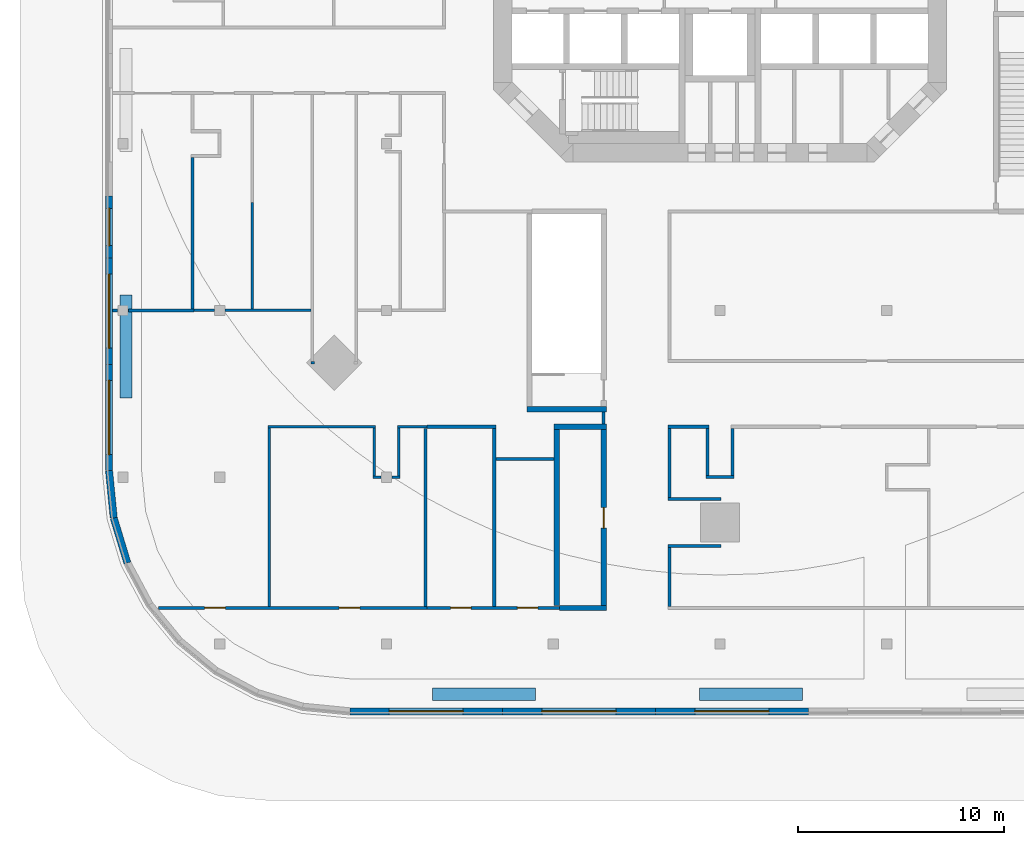
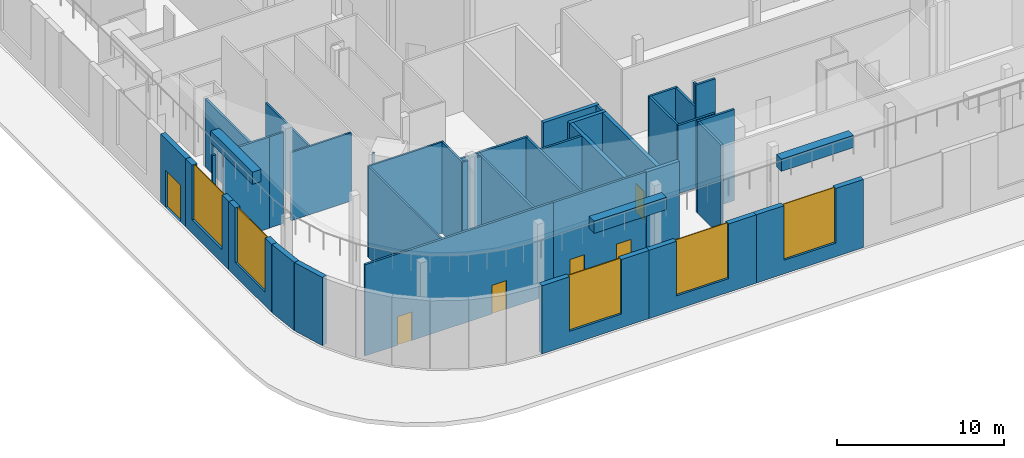
# One storey, part 6 of 17: 45 walls, 6 doors, 5 windows, 11 openings.
"""IFC4 building model written with IfcOpenShell, lengths in metres."""

from ifc_helpers import new_model, si_unit, direction, frame, frame_2d, origin, place, context, subcontext, project, spatial, rectangle, extrude, material, layer, layer_set, type_object, element, fill, save


model = new_model("IFC4")

# Units and contexts
model_context = context("Model", 3, precision=1e-05, world=origin(), true_north=direction((0.0, 1.0)))
body_context = subcontext(model_context, "Body", "Model", "MODEL_VIEW")
ifc_project = project(units=[si_unit("LENGTHUNIT", "METRE"), si_unit("AREAUNIT", "SQUARE_METRE"), si_unit("VOLUMEUNIT", "CUBIC_METRE"), si_unit("PLANEANGLEUNIT", "RADIAN"), si_unit("MASSUNIT", "GRAM", prefix="KILO")], contexts=[model_context])

# Site, building, storey
site_placement = place(None, origin())
site = spatial("IfcSite", under=ifc_project, at=site_placement, CompositionType="ELEMENT")
building_placement = place(site_placement, origin())
building = spatial("IfcBuilding", under=site, at=building_placement, Name="Torre Triforio", CompositionType="ELEMENT")
storey_placement = place(building_placement, frame((0.0, 0.0, 13.0)))
storey = spatial("IfcBuildingStorey", under=building, at=storey_placement, Name="L02", CompositionType="ELEMENT", Elevation=13.0)

# Walls
ifc_material_1 = material(Name="Plasterboard on metal studs")
ifc_layer_1 = layer(ifc_material_1, 0.14990234375)
ifc_layer_set_1 = layer_set([ifc_layer_1], Name="Plasterboard on metal studs")
wall_type_1 = type_object("IfcWallType", Name="Corridor wall 150 EI 60", PredefinedType="PARTITIONING", material=ifc_layer_set_1)
wall_1_placement = place(storey_placement, frame((-25.62060546875, -16.125, 0.0), z_axis=(0.0, 0.0, 1.0), x_axis=(0.0, 1.0, 0.0)))
element("IfcWall", 1, at=wall_1_placement, inside=storey, type_object=wall_type_1, Name="Corridor wall L02 025", PredefinedType="PARTITIONING", context=body_context, shape_type="SweptSolid", body=[
    extrude(rectangle(XDim=7.35009765625, YDim=0.14990234375, at=frame_2d((3.675048828125, 0.0))), origin(), (0.0, 0.0, 1.0), 5.0),
])
wall_2_placement = place(storey_placement, frame((-29.5, -16.199951171875, 0.0), z_axis=(0.0, 0.0, 1.0), x_axis=(1.0, 0.0, 0.0)))
element("IfcWall", 2, at=wall_2_placement, inside=storey, type_object=wall_type_1, Name="Corridor wall L02 057", PredefinedType="PARTITIONING", context=body_context, shape_type="SweptSolid", body=[
    extrude(rectangle(XDim=0.239990234375, YDim=0.14990234375, at=frame_2d((0.1201171875, 0.0))), origin(), (0.0, 0.0, 1.0), 6.679931640625),
])
wall_3_placement = place(storey_placement, frame((-28.739990234375, -16.199951171875, 0.0), z_axis=(0.0, 0.0, 1.0), x_axis=(1.0, 0.0, 0.0)))
element("IfcWall", 3, at=wall_3_placement, inside=storey, type_object=wall_type_1, Name="Corridor wall L02 058", PredefinedType="PARTITIONING", context=body_context, shape_type="SweptSolid", body=[
    extrude(rectangle(XDim=3.194580078125, YDim=0.14990234375, at=frame_2d((1.59716796875, 0.0))), origin(), (0.0, 0.0, 1.0), 6.679931640625),
])
wall_4_placement = place(storey_placement, frame((-0.675048828125, -24.300048828125, 0.0), z_axis=(0.0, 0.0, 1.0), x_axis=(1.0, 0.0, 0.0)))
element("IfcWall", 4, at=wall_4_placement, inside=storey, type_object=wall_type_1, Name="Corridor wall L02 106", PredefinedType="PARTITIONING", context=body_context, shape_type="SweptSolid", body=[
    extrude(rectangle(XDim=1.35009765625, YDim=0.14990234375, at=frame_2d((0.675048828125, 0.0))), origin(), (0.0, 0.0, 1.0), 6.679931640625),
])
wall_5_placement = place(storey_placement, frame((-2.52490234375, -21.85009765625, 0.0), z_axis=(0.0, 0.0, 1.0), x_axis=(1.0, 0.0, 0.0)))
element("IfcWall", 5, at=wall_5_placement, inside=storey, type_object=wall_type_1, Name="Corridor wall L02 107", PredefinedType="PARTITIONING", context=body_context, shape_type="SweptSolid", body=[
    extrude(rectangle(XDim=2.0, YDim=0.14990234375, at=frame_2d((1.0, 0.0))), origin(), (0.0, 0.0, 1.0), 5.0),
])
for number, where, z_axis, x_axis, name in (
    (6, (-0.60009765625, -24.22509765625, 0.0), (0.0, 0.0, 1.0), (0.0, 1.0, 0.0), "Corridor wall L02 109"),
    (7, (0.60009765625, -24.22509765625, 0.0), (0.0, 0.0, 1.0), (0.0, 1.0, 0.0), "Corridor wall L02 110"),
):
    element("IfcWall", number, at=place(storey_placement, frame(where, z_axis=z_axis, x_axis=x_axis)), inside=storey, type_object=wall_type_1, Name=name, PredefinedType="PARTITIONING", context=body_context, shape_type="SweptSolid", body=[
        extrude(rectangle(XDim=2.300048828125, YDim=0.14990234375, at=frame_2d((1.14990234375, 0.0))), origin(), (0.0, 0.0, 1.0), 5.0),
    ])
wall_6_placement = place(storey_placement, frame((-2.52490234375, -27.64990234375, 0.0), z_axis=(0.0, 0.0, 1.0), x_axis=(1.0, 0.0, 0.0)))
element("IfcWall", 8, at=wall_6_placement, inside=storey, type_object=wall_type_1, Name="Corridor wall L02 112", PredefinedType="PARTITIONING", context=body_context, shape_type="SweptSolid", body=[
    extrude(rectangle(XDim=2.579833984375, YDim=0.14990234375, at=frame_2d((1.2900390625, 0.0))), origin(), (0.0, 0.0, 1.0), 6.679931640625),
])
wall_7_placement = place(storey_placement, frame((-2.52490234375, -25.35009765625, 0.0), z_axis=(0.0, 0.0, 1.0), x_axis=(1.0, 0.0, 0.0)))
element("IfcWall", 9, at=wall_7_placement, inside=storey, type_object=wall_type_1, Name="Corridor wall L02 113", PredefinedType="PARTITIONING", context=body_context, shape_type="SweptSolid", body=[
    extrude(rectangle(XDim=2.579833984375, YDim=0.14990234375, at=frame_2d((1.2900390625, 0.0))), origin(), (0.0, 0.0, 1.0), 5.0),
])
wall_8_placement = place(storey_placement, frame((-2.449951171875, -30.574951171875, 0.0), z_axis=(0.0, 0.0, 1.0), x_axis=(0.0, 1.0, 0.0)))
element("IfcWall", 10, at=wall_8_placement, inside=storey, type_object=wall_type_1, Name="Corridor wall L02 114", PredefinedType="PARTITIONING", context=body_context, shape_type="SweptSolid", body=[
    extrude(rectangle(XDim=2.849853515625, YDim=0.14990234375, at=frame_2d((1.4248046875, 0.0))), origin(), (0.0, 0.0, 1.0), 6.679931640625),
])
wall_9_placement = place(storey_placement, frame((-2.449951171875, -25.27490234375, 0.0), z_axis=(0.0, 0.0, 1.0), x_axis=(0.0, 1.0, 0.0)))
element("IfcWall", 11, at=wall_9_placement, inside=storey, type_object=wall_type_1, Name="Corridor wall L02 115", PredefinedType="PARTITIONING", context=body_context, shape_type="SweptSolid", body=[
    extrude(rectangle(XDim=3.349853515625, YDim=0.14990234375, at=frame_2d((1.6748046875, 0.0))), origin(), (0.0, 0.0, 1.0), 5.0),
])
wall_10_placement = place(storey_placement, frame((-5.64990234375, -21.72509765625, 0.0), z_axis=(0.0, 0.0, 1.0), x_axis=(0.0, 1.0, 0.0)))
element("IfcWall", 12, at=wall_10_placement, inside=storey, type_object=wall_type_1, Name="Corridor wall L02 160", PredefinedType="PARTITIONING", context=body_context, shape_type="SweptSolid", body=[
    extrude(rectangle(XDim=0.60009765625, YDim=0.14990234375, at=frame_2d((0.300048828125, 0.0))), origin(), (0.0, 0.0, 1.0), 5.0),
])

# Wall, openings, doors
wall_11_placement = place(storey_placement, frame((-27.279541015625, -30.64990234375, 0.0), z_axis=(0.0, 0.0, 1.0), x_axis=(1.0, 0.0, 0.0)))
wall_11 = element("IfcWall", 13, at=wall_11_placement, inside=storey, type_object=wall_type_1, Name="Corridor wall L02 163", PredefinedType="PARTITIONING", context=body_context, shape_type="SweptSolid", body=[
    extrude(rectangle(XDim=13.045654296875, YDim=0.14990234375, at=frame_2d((6.52294921875, 0.0))), origin(), (0.0, 0.0, 1.0), 6.679931640625),
])
opening_1_placement = place(wall_11_placement, frame((2.25, 0.0, 0.0)))
opening_1 = element("IfcOpeningElement", 14, at=opening_1_placement, cuts=wall_11, Name="Opening P2-36", PredefinedType="OPENING", context=body_context, shape_type="SweptSolid", body=[
    extrude(rectangle(XDim=1.0, YDim=2.10009765625, at=frame_2d((0.5, 1.050048828125))), frame((0.0, 0.0849609375, 0.0), z_axis=(0.0, -1.0, 0.0), x_axis=(1.0, 0.0, 0.0)), (0.0, 0.0, 1.0), 0.169921875),
])
opening_2_placement = place(wall_11_placement, frame((8.78515625, 0.0, 0.0)))
opening_2 = element("IfcOpeningElement", 15, at=opening_2_placement, cuts=wall_11, Name="Opening P2-37", PredefinedType="OPENING", context=body_context, shape_type="SweptSolid", body=[
    extrude(rectangle(XDim=1.0, YDim=2.10009765625, at=frame_2d((0.5, 1.050048828125))), frame((0.0, 0.0849609375, 0.0), z_axis=(0.0, -1.0, 0.0), x_axis=(1.0, 0.0, 0.0)), (0.0, 0.0, 1.0), 0.169921875),
])
ifc_material_2 = material(Name="Timber door leaf", Category="wood")
door_type_1 = type_object("IfcDoorType", Name="Single door 1000 x 2100 EI 30", OperationType="NOTDEFINED", PredefinedType="DOOR", material=ifc_material_2)
door_1_placement = place(opening_1_placement, origin())
door_1 = element("IfcDoor", 16, at=door_1_placement, inside=storey, type_object=door_type_1, Name="Door P2-36", OperationType="SINGLE_SWING_LEFT", OverallHeight=2.10009765625, OverallWidth=1.0, PredefinedType="DOOR", context=body_context, shape_type="SweptSolid", body=[
    extrude(rectangle(XDim=1.0, YDim=2.10009765625, at=frame_2d((0.5, 1.050048828125))), frame((0.0, 0.02490234375, 0.0), z_axis=(0.0, -1.0, 0.0), x_axis=(1.0, 0.0, 0.0)), (0.0, 0.0, 1.0), 0.050048828125),
])
fill(opening_1, door_1)
door_2_placement = place(opening_2_placement, origin())
door_2 = element("IfcDoor", 17, at=door_2_placement, inside=storey, type_object=door_type_1, Name="Door P2-37", OperationType="SINGLE_SWING_LEFT", OverallHeight=2.10009765625, OverallWidth=1.0, PredefinedType="DOOR", context=body_context, shape_type="SweptSolid", body=[
    extrude(rectangle(XDim=1.0, YDim=2.10009765625, at=frame_2d((0.5, 1.050048828125))), frame((0.0, 0.02490234375, 0.0), z_axis=(0.0, -1.0, 0.0), x_axis=(1.0, 0.0, 0.0)), (0.0, 0.0, 1.0), 0.050048828125),
])
fill(opening_2, door_2)

# Walls
ifc_layer_2 = layer(ifc_material_1, 0.1201171875)
ifc_layer_set_2 = layer_set([ifc_layer_2], Name="Plasterboard on metal studs")
wall_type_2 = type_object("IfcWallType", Name="Partition 120", PredefinedType="PARTITIONING", material=ifc_layer_set_2)
wall_12_placement = place(storey_placement, frame((-22.710693359375, -16.139892578125, 0.0), z_axis=(0.0, 0.0, 1.0), x_axis=(0.0, 1.0, 0.0)))
element("IfcWall", 18, at=wall_12_placement, inside=storey, type_object=wall_type_2, Name="Partition L02 021", PredefinedType="PARTITIONING", context=body_context, shape_type="SweptSolid", body=[
    extrude(rectangle(XDim=5.1875, YDim=0.1201171875, at=frame_2d((2.59375, 0.0))), origin(), (0.0, 0.0, 1.0), 5.0),
])
wall_13_placement = place(storey_placement, frame((-25.54541015625, -16.199951171875, 0.0), z_axis=(0.0, 0.0, 1.0), x_axis=(1.0, 0.0, 0.0)))
element("IfcWall", 19, at=wall_13_placement, inside=storey, type_object=wall_type_2, Name="Partition L02 028", PredefinedType="PARTITIONING", context=body_context, shape_type="SweptSolid", body=[
    extrude(rectangle(XDim=0.9853515625, YDim=0.1201171875, at=frame_2d((0.49267578125, 0.0))), origin(), (0.0, 0.0, 1.0), 6.679931640625),
])
wall_14_placement = place(storey_placement, frame((-24.0400390625, -16.199951171875, 0.0), z_axis=(0.0, 0.0, 1.0), x_axis=(1.0, 0.0, 0.0)))
element("IfcWall", 20, at=wall_14_placement, inside=storey, type_object=wall_type_2, Name="Partition L02 029", PredefinedType="PARTITIONING", context=body_context, shape_type="SweptSolid", body=[
    extrude(rectangle(XDim=4.178955078125, YDim=0.1201171875, at=frame_2d((2.08935546875, 0.0))), origin(), (0.0, 0.0, 1.0), 5.0),
])
wall_15_placement = place(storey_placement, frame((-19.861083984375, -18.73828125, 0.0), z_axis=(0.0, 0.0, 1.0), x_axis=(1.0, 0.0, 0.0)))
element("IfcWall", 21, at=wall_15_placement, inside=storey, type_object=wall_type_2, Name="Partition L02 164", PredefinedType="PARTITIONING", context=body_context, shape_type="SweptSolid", body=[
    extrude(rectangle(XDim=0.162841796875, YDim=0.1201171875, at=frame_2d((0.08154296875, 0.0))), origin(), (0.0, 0.0, 1.0), 5.0),
])
wall_16_placement = place(storey_placement, frame((-16.860107421875, -24.300048828125, 0.0), z_axis=(0.0, 0.0, 1.0), x_axis=(1.0, 0.0, 0.0)))
element("IfcWall", 22, at=wall_16_placement, inside=storey, type_object=wall_type_2, Name="Partition L02 198", PredefinedType="PARTITIONING", context=body_context, shape_type="SweptSolid", body=[
    extrude(rectangle(XDim=0.400146484375, YDim=0.1201171875, at=frame_2d((0.2001953125, 0.0))), origin(), (0.0, 0.0, 1.0), 6.679931640625),
])
wall_17_placement = place(storey_placement, frame((-15.93994140625, -24.300048828125, 0.0), z_axis=(0.0, 0.0, 1.0), x_axis=(1.0, 0.0, 0.0)))
element("IfcWall", 23, at=wall_17_placement, inside=storey, type_object=wall_type_2, Name="Partition L02 199", PredefinedType="PARTITIONING", context=body_context, shape_type="SweptSolid", body=[
    extrude(rectangle(XDim=0.39990234375, YDim=0.1201171875, at=frame_2d((0.199951171875, 0.0))), origin(), (0.0, 0.0, 1.0), 6.679931640625),
])
wall_18_placement = place(storey_placement, frame((-21.964599609375, -21.85009765625, 0.0), z_axis=(0.0, 0.0, 1.0), x_axis=(1.0, 0.0, 0.0)))
element("IfcWall", 24, at=wall_18_placement, inside=storey, type_object=wall_type_2, Name="Partition L02 200", PredefinedType="PARTITIONING", context=body_context, shape_type="SweptSolid", body=[
    extrude(rectangle(XDim=5.224609375, YDim=0.1201171875, at=frame_2d((2.6123046875, 0.0))), origin(), (0.0, 0.0, 1.0), 6.679931640625),
])
wall_19_placement = place(storey_placement, frame((-15.659912109375, -21.85009765625, 0.0), z_axis=(0.0, 0.0, 1.0), x_axis=(1.0, 0.0, 0.0)))
element("IfcWall", 25, at=wall_19_placement, inside=storey, type_object=wall_type_2, Name="Partition L02 201", PredefinedType="PARTITIONING", context=body_context, shape_type="SweptSolid", body=[
    extrude(rectangle(XDim=1.426025390625, YDim=0.1201171875, at=frame_2d((0.712890625, 0.0))), origin(), (0.0, 0.0, 1.0), 5.0),
])
wall_20_placement = place(storey_placement, frame((-21.904541015625, -30.574951171875, 0.0), z_axis=(0.0, 0.0, 1.0), x_axis=(0.0, 1.0, 0.0)))
element("IfcWall", 26, at=wall_20_placement, inside=storey, type_object=wall_type_2, Name="Partition L02 202", PredefinedType="PARTITIONING", context=body_context, shape_type="SweptSolid", body=[
    extrude(rectangle(XDim=8.6650390625, YDim=0.1201171875, at=frame_2d((4.33251953125, 0.0))), origin(), (0.0, 0.0, 1.0), 6.679931640625),
])
wall_21_placement = place(storey_placement, frame((-16.800048828125, -24.239990234375, 0.0), z_axis=(0.0, 0.0, 1.0), x_axis=(0.0, 1.0, 0.0)))
element("IfcWall", 27, at=wall_21_placement, inside=storey, type_object=wall_type_2, Name="Partition L02 203", PredefinedType="PARTITIONING", context=body_context, shape_type="SweptSolid", body=[
    extrude(rectangle(XDim=2.330078125, YDim=0.1201171875, at=frame_2d((1.1650390625, 0.0))), origin(), (0.0, 0.0, 1.0), 6.679931640625),
])
wall_22_placement = place(storey_placement, frame((-15.60009765625, -24.239990234375, 0.0), z_axis=(0.0, 0.0, 1.0), x_axis=(0.0, 1.0, 0.0)))
element("IfcWall", 28, at=wall_22_placement, inside=storey, type_object=wall_type_2, Name="Partition L02 204", PredefinedType="PARTITIONING", context=body_context, shape_type="SweptSolid", body=[
    extrude(rectangle(XDim=2.330078125, YDim=0.1201171875, at=frame_2d((1.1650390625, 0.0))), origin(), (0.0, 0.0, 1.0), 5.0),
])

# Wall, opening, door
ifc_material_3 = material(Name="Masonry block", Category="masonry")
ifc_layer_3 = layer(ifc_material_3, 0.25)
ifc_layer_set_3 = layer_set([ifc_layer_3], Name="Masonry block")
wall_type_3 = type_object("IfcWallType", Name="Plant room wall 250 EI 120", PredefinedType="PARTITIONING", material=ifc_layer_set_3)
wall_23_placement = place(storey_placement, frame((-5.64990234375, -30.52490234375, 0.0), z_axis=(0.0, 0.0, 1.0), x_axis=(0.0, 1.0, 0.0)))
wall_23 = element("IfcWall", 29, at=wall_23_placement, inside=storey, type_object=wall_type_3, Name="Plant room wall L02 159", PredefinedType="PARTITIONING", context=body_context, shape_type="SweptSolid", body=[
    extrude(rectangle(XDim=8.5498046875, YDim=0.25, at=frame_2d((4.27490234375, 0.0))), origin(), (0.0, 0.0, 1.0), 5.0),
])
opening_3_placement = place(wall_23_placement, frame((3.75, 0.0, 0.0)))
opening_3 = element("IfcOpeningElement", 30, at=opening_3_placement, cuts=wall_23, Name="Opening P2-40", PredefinedType="OPENING", context=body_context, shape_type="SweptSolid", body=[
    extrude(rectangle(XDim=1.0, YDim=2.10009765625, at=frame_2d((0.5, 1.050048828125))), frame((0.0, 0.135009765625, 0.0), z_axis=(0.0, -1.0, 0.0), x_axis=(1.0, 0.0, 0.0)), (0.0, 0.0, 1.0), 0.27001953125),
])
ifc_material_4 = material(Name="Hollow metal fire door leaf")
door_type_2 = type_object("IfcDoorType", Name="Fire door 1000 x 2100 EI 60", OperationType="NOTDEFINED", PredefinedType="DOOR", material=ifc_material_4)
door_3_placement = place(opening_3_placement, origin())
door_3 = element("IfcDoor", 31, at=door_3_placement, inside=storey, type_object=door_type_2, Name="Door P2-40", OperationType="SINGLE_SWING_LEFT", OverallHeight=2.10009765625, OverallWidth=1.0, PredefinedType="DOOR", context=body_context, shape_type="SweptSolid", body=[
    extrude(rectangle(XDim=1.0, YDim=2.10009765625, at=frame_2d((0.5, 1.050048828125))), frame((0.0, 0.02490234375, 0.0), z_axis=(0.0, -1.0, 0.0), x_axis=(1.0, 0.0, 0.0)), (0.0, 0.0, 1.0), 0.050048828125),
])
fill(opening_3, door_3)

# Walls
wall_24_placement = place(storey_placement, frame((-7.8037109375, -30.64990234375, 0.0), z_axis=(0.0, 0.0, 1.0), x_axis=(1.0, 0.0, 0.0)))
element("IfcWall", 32, at=wall_24_placement, inside=storey, type_object=wall_type_3, Name="Plant room wall L02 161", PredefinedType="PARTITIONING", context=body_context, shape_type="SweptSolid", body=[
    extrude(rectangle(XDim=2.27880859375, YDim=0.25, at=frame_2d((1.139404296875, 0.0))), origin(), (0.0, 0.0, 1.0), 6.679931640625),
])
wall_25_placement = place(storey_placement, frame((-7.9287109375, -30.52490234375, 0.0), z_axis=(0.0, 0.0, 1.0), x_axis=(0.0, 1.0, 0.0)))
element("IfcWall", 33, at=wall_25_placement, inside=storey, type_object=wall_type_3, Name="Plant room wall L02 180", PredefinedType="PARTITIONING", context=body_context, shape_type="SweptSolid", body=[
    extrude(rectangle(XDim=8.5498046875, YDim=0.25, at=frame_2d((4.27490234375, 0.0))), origin(), (0.0, 0.0, 1.0), 5.0),
])
wall_26_placement = place(storey_placement, frame((-8.0537109375, -21.85009765625, 0.0), z_axis=(0.0, 0.0, 1.0), x_axis=(1.0, 0.0, 0.0)))
element("IfcWall", 34, at=wall_26_placement, inside=storey, type_object=wall_type_3, Name="Plant room wall L02 184", PredefinedType="PARTITIONING", context=body_context, shape_type="SweptSolid", body=[
    extrude(rectangle(XDim=2.52880859375, YDim=0.25, at=frame_2d((1.264404296875, 0.0))), origin(), (0.0, 0.0, 1.0), 5.0),
])
ifc_material_5 = material(Name="Concrete C40", Category="concrete")
ifc_layer_4 = layer(ifc_material_5, 0.25)
ifc_layer_set_4 = layer_set([ifc_layer_4], Name="Concrete C40")
wall_type_4 = type_object("IfcWallType", Name="Stair enclosure wall 250 EI 120", PredefinedType="STANDARD", material=ifc_layer_set_4)
wall_27_placement = place(storey_placement, frame((-9.375, -21.0, 0.0), z_axis=(0.0, 0.0, 1.0), x_axis=(1.0, 0.0, 0.0)))
element("IfcWall", 35, at=wall_27_placement, inside=storey, type_object=wall_type_4, Name="Stair enclosure wall L02 138", PredefinedType="STANDARD", context=body_context, shape_type="SweptSolid", body=[
    extrude(rectangle(XDim=3.85009765625, YDim=0.25, at=frame_2d((1.925048828125, 0.0))), origin(), (0.0, 0.0, 1.0), 5.0),
])

# Wall, opening, door
ifc_material_6 = material(Name="Limestone cladding", Category="masonry")
ifc_layer_5 = layer(ifc_material_6, 0.10009765625)
ifc_layer_6 = layer(ifc_material_5, 0.25)
ifc_layer_set_5 = layer_set([ifc_layer_5, ifc_layer_6], Name="Limestone cladding / Concrete C40")
wall_type_5 = type_object("IfcWallType", Name="Stone-clad podium wall 350", PredefinedType="STANDARD", material=ifc_layer_set_5)
wall_28_placement = place(storey_placement, frame((-29.675048828125, -10.64990234375, 0.0), z_axis=(0.0, 0.0, 1.0), x_axis=(0.0, -1.0, 0.0)))
wall_28 = element("IfcWall", 36, at=wall_28_placement, inside=storey, type_object=wall_type_5, Name="External wall L02 e26.1", PredefinedType="STANDARD", context=body_context, shape_type="SweptSolid", body=[
    extrude(rectangle(XDim=3.0, YDim=0.35009765625, at=frame_2d((1.5, 0.0))), origin(), (0.0, 0.0, 1.0), 5.0),
])
opening_4_placement = place(wall_28_placement, frame((0.60009765625, 0.0, 0.0)))
opening_4 = element("IfcOpeningElement", 37, at=opening_4_placement, cuts=wall_28, Name="Opening P2-47", PredefinedType="OPENING", context=body_context, shape_type="SweptSolid", body=[
    extrude(rectangle(XDim=1.800048828125, YDim=2.699951171875, at=frame_2d((0.89990234375, 1.35009765625))), frame((0.0, 0.18505859375, 0.0), z_axis=(0.0, -1.0, 0.0), x_axis=(1.0, 0.0, 0.0)), (0.0, 0.0, 1.0), 0.3701171875),
])
ifc_material_7 = material(Name="Glazed aluminium door", Category="aluminium")
door_type_3 = type_object("IfcDoorType", Name="Terrace double door 1800 x 2700", OperationType="NOTDEFINED", PredefinedType="DOOR", material=ifc_material_7)
door_4_placement = place(opening_4_placement, origin())
door_4 = element("IfcDoor", 38, at=door_4_placement, inside=storey, type_object=door_type_3, Name="Door P2-47", OperationType="SINGLE_SWING_LEFT", OverallHeight=2.699951171875, OverallWidth=1.800048828125, PredefinedType="DOOR", context=body_context, shape_type="SweptSolid", body=[
    extrude(rectangle(XDim=1.800048828125, YDim=2.699951171875, at=frame_2d((0.89990234375, 1.35009765625))), frame((0.0, 0.02490234375, 0.0), z_axis=(0.0, -1.0, 0.0), x_axis=(1.0, 0.0, 0.0)), (0.0, 0.0, 1.0), 0.050048828125),
])
fill(opening_4, door_4)

# Wall, opening, window
wall_29_placement = place(storey_placement, frame((-29.675048828125, -13.64990234375, 0.0), z_axis=(0.0, 0.0, 1.0), x_axis=(0.0, -1.0, 0.0)))
wall_29 = element("IfcWall", 39, at=wall_29_placement, inside=storey, type_object=wall_type_5, Name="External wall L02 e26.2.w0", PredefinedType="STANDARD", context=body_context, shape_type="SweptSolid", body=[
    extrude(rectangle(XDim=5.1669921875, YDim=0.35009765625, at=frame_2d((2.58349609375, 0.0))), origin(), (0.0, 0.0, 1.0), 5.0),
])
opening_5_placement = place(wall_29_placement, frame((0.783447265625, 0.0, 1.0)))
opening_5 = element("IfcOpeningElement", 40, at=opening_5_placement, cuts=wall_29, Name="Opening P2-W15", PredefinedType="OPENING", context=body_context, shape_type="SweptSolid", body=[
    extrude(rectangle(XDim=3.60009765625, YDim=4.0, at=frame_2d((1.800048828125, 2.0))), frame((0.0, 0.18505859375, 0.0), z_axis=(0.0, -1.0, 0.0), x_axis=(1.0, 0.0, 0.0)), (0.0, 0.0, 1.0), 0.3701171875),
])
ifc_material_8 = material(Name="Aluminium frame with clear double glazing", Category="aluminium")
window_type = type_object("IfcWindowType", Name="Podium window 3600 x 4000", PartitioningType="DOUBLE_PANEL_VERTICAL", PredefinedType="WINDOW", material=ifc_material_8)
window_1_placement = place(opening_5_placement, origin())
window_1 = element("IfcWindow", 41, at=window_1_placement, inside=storey, type_object=window_type, Name="Window L02 e26.2.w0", OverallHeight=4.0, OverallWidth=3.60009765625, PartitioningType="SINGLE_PANEL", PredefinedType="WINDOW", context=body_context, shape_type="SweptSolid", body=[
    extrude(rectangle(XDim=3.60009765625, YDim=4.0, at=frame_2d((1.800048828125, 2.0))), frame((0.0, 0.030029296875, 0.0), z_axis=(0.0, -1.0, 0.0), x_axis=(1.0, 0.0, 0.0)), (0.0, 0.0, 1.0), 0.06005859375),
])
fill(opening_5, window_1)

wall_30_placement = place(storey_placement, frame((-29.675048828125, -18.81689453125, 0.0), z_axis=(0.0, 0.0, 1.0), x_axis=(0.0, -1.0, 0.0)))
wall_30 = element("IfcWall", 42, at=wall_30_placement, inside=storey, type_object=wall_type_5, Name="External wall L02 e26.2.w1", PredefinedType="STANDARD", context=body_context, shape_type="SweptSolid", body=[
    extrude(rectangle(XDim=5.1669921875, YDim=0.35009765625, at=frame_2d((2.58349609375, 0.0))), origin(), (0.0, 0.0, 1.0), 5.0),
])
opening_6_placement = place(wall_30_placement, frame((0.783447265625, 0.0, 1.0)))
opening_6 = element("IfcOpeningElement", 43, at=opening_6_placement, cuts=wall_30, Name="Opening P2-W16", PredefinedType="OPENING", context=body_context, shape_type="SweptSolid", body=[
    extrude(rectangle(XDim=3.60009765625, YDim=4.0, at=frame_2d((1.800048828125, 2.0))), frame((0.0, 0.18505859375, 0.0), z_axis=(0.0, -1.0, 0.0), x_axis=(1.0, 0.0, 0.0)), (0.0, 0.0, 1.0), 0.3701171875),
])
window_2_placement = place(opening_6_placement, origin())
window_2 = element("IfcWindow", 44, at=window_2_placement, inside=storey, type_object=window_type, Name="Window L02 e26.2.w1", OverallHeight=4.0, OverallWidth=3.60009765625, PartitioningType="SINGLE_PANEL", PredefinedType="WINDOW", context=body_context, shape_type="SweptSolid", body=[
    extrude(rectangle(XDim=3.60009765625, YDim=4.0, at=frame_2d((1.800048828125, 2.0))), frame((0.0, 0.030029296875, 0.0), z_axis=(0.0, -1.0, 0.0), x_axis=(1.0, 0.0, 0.0)), (0.0, 0.0, 1.0), 0.06005859375),
])
fill(opening_6, window_2)

# Walls
wall_31_placement = place(storey_placement, frame((-29.675048828125, -23.98388671875, 0.0), z_axis=(0.0, 0.0, 1.0), x_axis=(0.097993192849, -0.995187085002, 0.0)))
element("IfcWall", 45, at=wall_31_placement, inside=storey, type_object=wall_type_5, Name="External wall L02 e27.0.w0", PredefinedType="STANDARD", context=body_context, shape_type="SweptSolid", body=[
    extrude(rectangle(XDim=2.304443359375, YDim=0.35009765625, at=frame_2d((1.15234375, 0.0))), origin(), (0.0, 0.0, 1.0), 5.0),
])
wall_32_placement = place(storey_placement, frame((-29.44921875, -26.27734375, 0.0), z_axis=(0.0, 0.0, 1.0), x_axis=(0.29028274763, -0.956940921075, 0.0)))
element("IfcWall", 46, at=wall_32_placement, inside=storey, type_object=wall_type_5, Name="External wall L02 e28.0.w0", PredefinedType="STANDARD", context=body_context, shape_type="SweptSolid", body=[
    extrude(rectangle(XDim=2.28857421875, YDim=0.35009765625, at=frame_2d((1.144287109375, 0.0))), origin(), (0.0, 0.0, 1.0), 5.0),
])

# Wall, opening, window
wall_33_placement = place(storey_placement, frame((-17.98388671875, -35.675048828125, 0.0), z_axis=(0.0, 0.0, 1.0), x_axis=(1.0, 0.0, 0.0)))
wall_33 = element("IfcWall", 47, at=wall_33_placement, inside=storey, type_object=wall_type_5, Name="External wall L02 e35.0.w0", PredefinedType="STANDARD", context=body_context, shape_type="SweptSolid", body=[
    extrude(rectangle(XDim=7.423828125, YDim=0.35009765625, at=frame_2d((3.7119140625, 0.0))), origin(), (0.0, 0.0, 1.0), 5.0),
])
opening_7_placement = place(wall_33_placement, frame((1.912109375, 0.0, 1.0)))
opening_7 = element("IfcOpeningElement", 48, at=opening_7_placement, cuts=wall_33, Name="Opening P2-W17", PredefinedType="OPENING", context=body_context, shape_type="SweptSolid", body=[
    extrude(rectangle(XDim=3.60009765625, YDim=4.0, at=frame_2d((1.800048828125, 2.0))), frame((0.0, 0.18505859375, 0.0), z_axis=(0.0, -1.0, 0.0), x_axis=(1.0, 0.0, 0.0)), (0.0, 0.0, 1.0), 0.3701171875),
])
window_3_placement = place(opening_7_placement, origin())
window_3 = element("IfcWindow", 49, at=window_3_placement, inside=storey, type_object=window_type, Name="Window L02 e35.0.w0", OverallHeight=4.0, OverallWidth=3.60009765625, PartitioningType="SINGLE_PANEL", PredefinedType="WINDOW", context=body_context, shape_type="SweptSolid", body=[
    extrude(rectangle(XDim=3.60009765625, YDim=4.0, at=frame_2d((1.800048828125, 2.0))), frame((0.0, 0.030029296875, 0.0), z_axis=(0.0, -1.0, 0.0), x_axis=(1.0, 0.0, 0.0)), (0.0, 0.0, 1.0), 0.06005859375),
])
fill(opening_7, window_3)

wall_34_placement = place(storey_placement, frame((-10.56005859375, -35.675048828125, 0.0), z_axis=(0.0, 0.0, 1.0), x_axis=(1.0, 0.0, 0.0)))
wall_34 = element("IfcWall", 50, at=wall_34_placement, inside=storey, type_object=wall_type_5, Name="External wall L02 e35.0.w1", PredefinedType="STANDARD", context=body_context, shape_type="SweptSolid", body=[
    extrude(rectangle(XDim=7.424072265625, YDim=0.35009765625, at=frame_2d((3.7119140625, 0.0))), origin(), (0.0, 0.0, 1.0), 5.0),
])
opening_8_placement = place(wall_34_placement, frame((1.912109375, 0.0, 1.0)))
opening_8 = element("IfcOpeningElement", 51, at=opening_8_placement, cuts=wall_34, Name="Opening P2-W18", PredefinedType="OPENING", context=body_context, shape_type="SweptSolid", body=[
    extrude(rectangle(XDim=3.60009765625, YDim=4.0, at=frame_2d((1.800048828125, 2.0))), frame((0.0, 0.18505859375, 0.0), z_axis=(0.0, -1.0, 0.0), x_axis=(1.0, 0.0, 0.0)), (0.0, 0.0, 1.0), 0.3701171875),
])
window_4_placement = place(opening_8_placement, origin())
window_4 = element("IfcWindow", 52, at=window_4_placement, inside=storey, type_object=window_type, Name="Window L02 e35.0.w1", OverallHeight=4.0, OverallWidth=3.60009765625, PartitioningType="SINGLE_PANEL", PredefinedType="WINDOW", context=body_context, shape_type="SweptSolid", body=[
    extrude(rectangle(XDim=3.60009765625, YDim=4.0, at=frame_2d((1.800048828125, 2.0))), frame((0.0, 0.030029296875, 0.0), z_axis=(0.0, -1.0, 0.0), x_axis=(1.0, 0.0, 0.0)), (0.0, 0.0, 1.0), 0.06005859375),
])
fill(opening_8, window_4)

wall_35_placement = place(storey_placement, frame((-3.135986328125, -35.675048828125, 0.0), z_axis=(0.0, 0.0, 1.0), x_axis=(1.0, 0.0, 0.0)))
wall_35 = element("IfcWall", 53, at=wall_35_placement, inside=storey, type_object=wall_type_5, Name="External wall L02 e35.0.w2", PredefinedType="STANDARD", context=body_context, shape_type="SweptSolid", body=[
    extrude(rectangle(XDim=7.424072265625, YDim=0.35009765625, at=frame_2d((3.7119140625, 0.0))), origin(), (0.0, 0.0, 1.0), 5.0),
])
opening_9_placement = place(wall_35_placement, frame((1.912109375, 0.0, 1.0)))
opening_9 = element("IfcOpeningElement", 54, at=opening_9_placement, cuts=wall_35, Name="Opening P2-W19", PredefinedType="OPENING", context=body_context, shape_type="SweptSolid", body=[
    extrude(rectangle(XDim=3.60009765625, YDim=4.0, at=frame_2d((1.800048828125, 2.0))), frame((0.0, 0.18505859375, 0.0), z_axis=(0.0, -1.0, 0.0), x_axis=(1.0, 0.0, 0.0)), (0.0, 0.0, 1.0), 0.3701171875),
])
window_5_placement = place(opening_9_placement, origin())
window_5 = element("IfcWindow", 55, at=window_5_placement, inside=storey, type_object=window_type, Name="Window L02 e35.0.w2", OverallHeight=4.0, OverallWidth=3.60009765625, PartitioningType="SINGLE_PANEL", PredefinedType="WINDOW", context=body_context, shape_type="SweptSolid", body=[
    extrude(rectangle(XDim=3.60009765625, YDim=4.0, at=frame_2d((1.800048828125, 2.0))), frame((0.0, 0.030029296875, 0.0), z_axis=(0.0, -1.0, 0.0), x_axis=(1.0, 0.0, 0.0)), (0.0, 0.0, 1.0), 0.06005859375),
])
fill(opening_9, window_5)

# Walls
ifc_layer_7 = layer(ifc_material_6, 0.10009765625)
ifc_layer_8 = layer(ifc_material_5, 0.5)
ifc_layer_set_6 = layer_set([ifc_layer_7, ifc_layer_8], Name="Limestone cladding / Concrete C40")
wall_type_6 = type_object("IfcWallType", Name="Terrace planter wall 600", PredefinedType="PARAPET", material=ifc_layer_set_6)
for number, where, z_axis, x_axis, name in (
    (56, (-28.85009765625, -15.45751953125, 7.0), (0.0, 0.0, 1.0), (0.0, -1.0, 0.0), "Terrace T3 planter 27.4"),
    (57, (-13.95751953125, -34.85009765625, 7.0), (0.0, 0.0, 1.0), (1.0, 0.0, 0.0), "Terrace T3 planter 36.1"),
    (58, (-0.98583984375, -34.85009765625, 7.0), (0.0, 0.0, 1.0), (1.0, 0.0, 0.0), "Terrace T3 planter 36.2"),
):
    element("IfcWall", number, at=place(storey_placement, frame(where, z_axis=z_axis, x_axis=x_axis)), inside=storey, type_object=wall_type_6, Name=name, PredefinedType="PARAPET", context=body_context, shape_type="SweptSolid", body=[
        extrude(rectangle(XDim=5.0, YDim=0.60009765625, at=frame_2d((2.5, 0.0))), origin(), (0.0, 0.0, 1.0), 0.89990234375),
    ])

# Wall, openings, doors
ifc_layer_9 = layer(ifc_material_1, 0.14990234375)
ifc_layer_set_7 = layer_set([ifc_layer_9], Name="Plasterboard on metal studs")
wall_type_7 = type_object("IfcWallType", Name="Wet room wall 150", PredefinedType="PARTITIONING", material=ifc_layer_set_7)
wall_36_placement = place(storey_placement, frame((-14.23388671875, -30.64990234375, 0.0), z_axis=(0.0, 0.0, 1.0), x_axis=(1.0, 0.0, 0.0)))
wall_36 = element("IfcWall", 59, at=wall_36_placement, inside=storey, type_object=wall_type_7, Name="Wet room wall L02 162", PredefinedType="PARTITIONING", context=body_context, shape_type="SweptSolid", body=[
    extrude(rectangle(XDim=6.43017578125, YDim=0.14990234375, at=frame_2d((3.215087890625, 0.0))), origin(), (0.0, 0.0, 1.0), 6.679931640625),
])
opening_10_placement = place(wall_36_placement, frame((1.14990234375, 0.0, 0.0)))
opening_10 = element("IfcOpeningElement", 60, at=opening_10_placement, cuts=wall_36, Name="Opening P2-38", PredefinedType="OPENING", context=body_context, shape_type="SweptSolid", body=[
    extrude(rectangle(XDim=1.0, YDim=2.10009765625, at=frame_2d((0.5, 1.050048828125))), frame((0.0, 0.0849609375, 0.0), z_axis=(0.0, -1.0, 0.0), x_axis=(1.0, 0.0, 0.0)), (0.0, 0.0, 1.0), 0.169921875),
])
opening_11_placement = place(wall_36_placement, frame((4.39208984375, 0.0, 0.0)))
opening_11 = element("IfcOpeningElement", 61, at=opening_11_placement, cuts=wall_36, Name="Opening P2-39", PredefinedType="OPENING", context=body_context, shape_type="SweptSolid", body=[
    extrude(rectangle(XDim=1.0, YDim=2.10009765625, at=frame_2d((0.5, 1.050048828125))), frame((0.0, 0.0849609375, 0.0), z_axis=(0.0, -1.0, 0.0), x_axis=(1.0, 0.0, 0.0)), (0.0, 0.0, 1.0), 0.169921875),
])
door_type_4 = type_object("IfcDoorType", Name="Single door 1000 x 2100", OperationType="NOTDEFINED", PredefinedType="DOOR", material=ifc_material_2)
door_5_placement = place(opening_10_placement, origin())
door_5 = element("IfcDoor", 62, at=door_5_placement, inside=storey, type_object=door_type_4, Name="Door P2-38", OperationType="SINGLE_SWING_LEFT", OverallHeight=2.10009765625, OverallWidth=1.0, PredefinedType="DOOR", context=body_context, shape_type="SweptSolid", body=[
    extrude(rectangle(XDim=1.0, YDim=2.10009765625, at=frame_2d((0.5, 1.050048828125))), frame((0.0, 0.02490234375, 0.0), z_axis=(0.0, -1.0, 0.0), x_axis=(1.0, 0.0, 0.0)), (0.0, 0.0, 1.0), 0.050048828125),
])
fill(opening_10, door_5)
door_6_placement = place(opening_11_placement, origin())
door_6 = element("IfcDoor", 63, at=door_6_placement, inside=storey, type_object=door_type_4, Name="Door P2-39", OperationType="SINGLE_SWING_LEFT", OverallHeight=2.10009765625, OverallWidth=1.0, PredefinedType="DOOR", context=body_context, shape_type="SweptSolid", body=[
    extrude(rectangle(XDim=1.0, YDim=2.10009765625, at=frame_2d((0.5, 1.050048828125))), frame((0.0, 0.02490234375, 0.0), z_axis=(0.0, -1.0, 0.0), x_axis=(1.0, 0.0, 0.0)), (0.0, 0.0, 1.0), 0.050048828125),
])
fill(opening_11, door_6)

# Walls
wall_37_placement = place(storey_placement, frame((-10.966796875, -30.574951171875, 0.0), z_axis=(0.0, 0.0, 1.0), x_axis=(0.0, 1.0, 0.0)))
element("IfcWall", 64, at=wall_37_placement, inside=storey, type_object=wall_type_7, Name="Wet room wall L02 181", PredefinedType="PARTITIONING", context=body_context, shape_type="SweptSolid", body=[
    extrude(rectangle(XDim=8.64990234375, YDim=0.14990234375, at=frame_2d((4.324951171875, 0.0))), origin(), (0.0, 0.0, 1.0), 5.0),
])
wall_38_placement = place(storey_placement, frame((-10.891845703125, -23.408935546875, 0.0), z_axis=(0.0, 0.0, 1.0), x_axis=(1.0, 0.0, 0.0)))
element("IfcWall", 65, at=wall_38_placement, inside=storey, type_object=wall_type_7, Name="Wet room wall L02 182", PredefinedType="PARTITIONING", context=body_context, shape_type="SweptSolid", body=[
    extrude(rectangle(XDim=2.838134765625, YDim=0.14990234375, at=frame_2d((1.4189453125, 0.0))), origin(), (0.0, 0.0, 1.0), 5.0),
])
wall_39_placement = place(storey_placement, frame((-14.23388671875, -21.85009765625, 0.0), z_axis=(0.0, 0.0, 1.0), x_axis=(1.0, 0.0, 0.0)))
element("IfcWall", 66, at=wall_39_placement, inside=storey, type_object=wall_type_7, Name="Wet room wall L02 185", PredefinedType="PARTITIONING", context=body_context, shape_type="SweptSolid", body=[
    extrude(rectangle(XDim=3.342041015625, YDim=0.14990234375, at=frame_2d((1.6708984375, 0.0))), origin(), (0.0, 0.0, 1.0), 5.0),
])
wall_40_placement = place(storey_placement, frame((-14.308837890625, -30.574951171875, 0.0), z_axis=(0.0, 0.0, 1.0), x_axis=(0.0, 1.0, 0.0)))
element("IfcWall", 67, at=wall_40_placement, inside=storey, type_object=wall_type_7, Name="Wet room wall L02 186", PredefinedType="PARTITIONING", context=body_context, shape_type="SweptSolid", body=[
    extrude(rectangle(XDim=8.64990234375, YDim=0.14990234375, at=frame_2d((4.324951171875, 0.0))), origin(), (0.0, 0.0, 1.0), 5.0),
])

save(model, "model.ifc")
